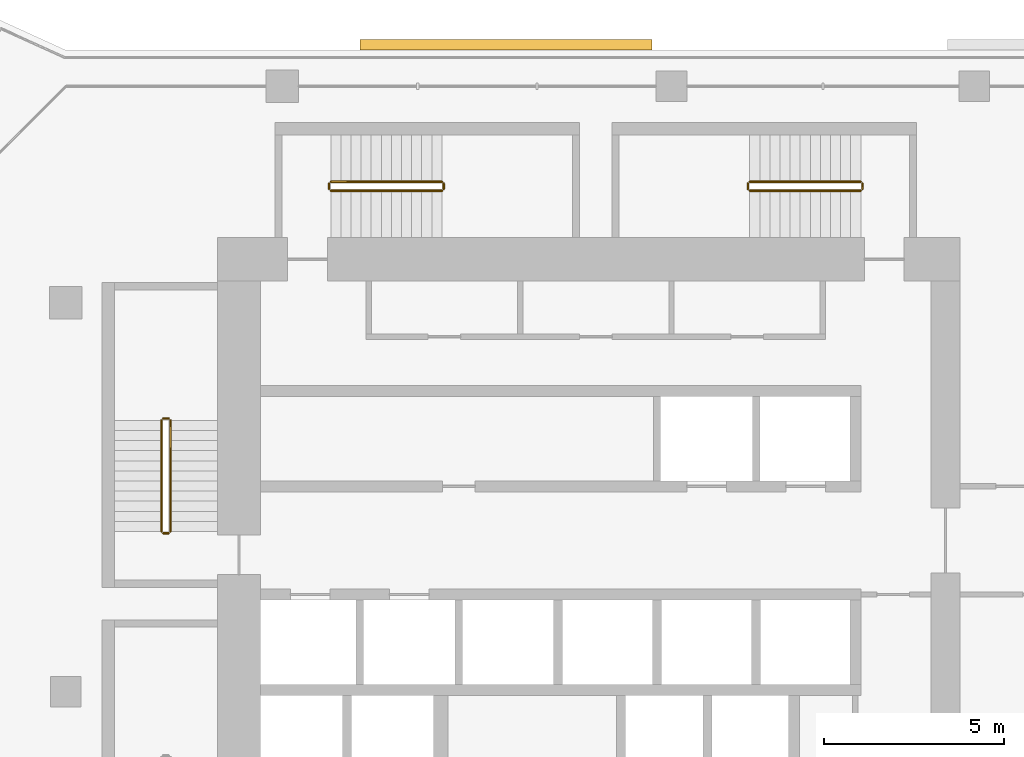
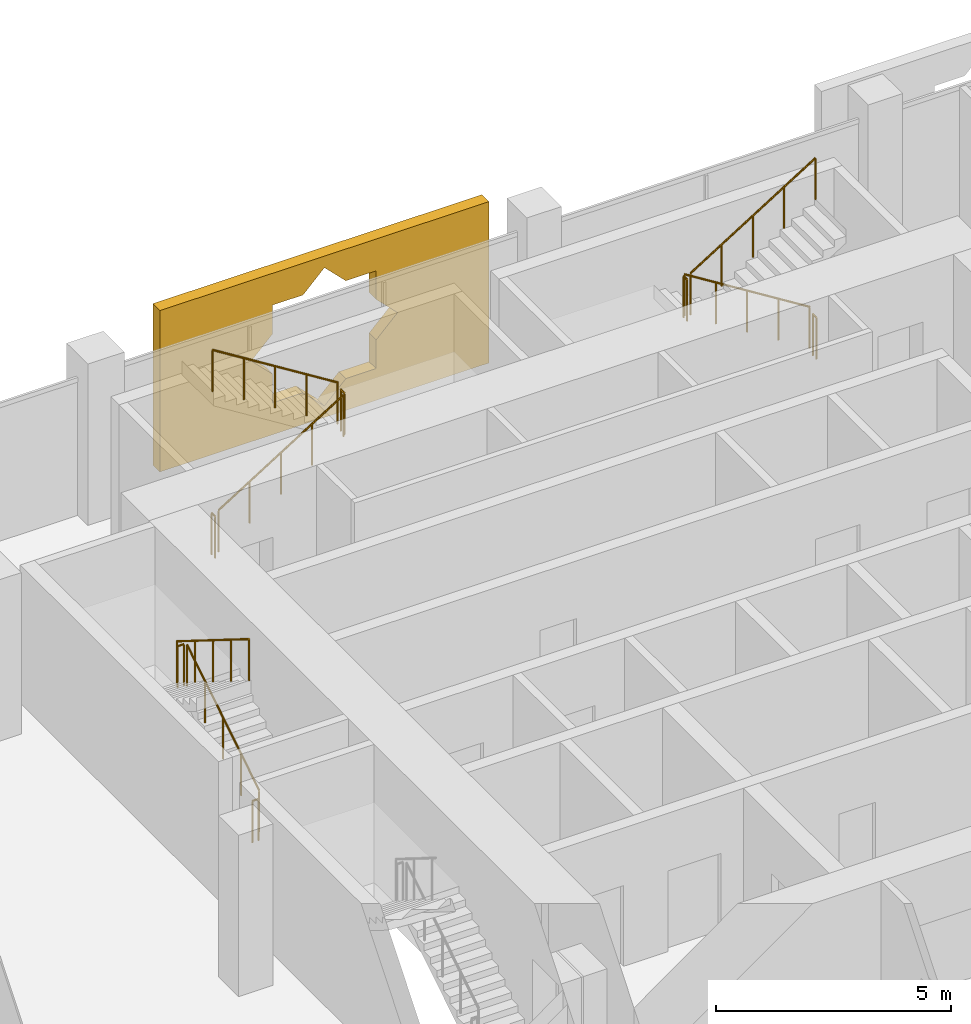
# One storey, part 19 of 21: 12 railings, 1 covering.
"""IFC4 building model written with IfcOpenShell, lengths in metres."""

from ifc_helpers import new_model, si_unit, direction, frame, origin, origin_2d, place, context, subcontext, project, spatial, polyline, circle, outline, extrude, material, material_profile, profile_set, type_object, element, save


model = new_model("IFC4")

# Units and contexts
model_context = context("Model", 3, precision=1e-05, world=origin(), true_north=direction((0.0, 1.0)))
body_context = subcontext(model_context, "Body", "Model", "MODEL_VIEW")
ifc_project = project(units=[si_unit("LENGTHUNIT", "METRE"), si_unit("AREAUNIT", "SQUARE_METRE"), si_unit("VOLUMEUNIT", "CUBIC_METRE"), si_unit("PLANEANGLEUNIT", "RADIAN"), si_unit("MASSUNIT", "GRAM", prefix="KILO")], contexts=[model_context])

# Site, building, storey
site_placement = place(None, origin())
site = spatial("IfcSite", under=ifc_project, at=site_placement, CompositionType="ELEMENT")
building_placement = place(site_placement, origin())
building = spatial("IfcBuilding", under=site, at=building_placement, Name="Kawkab Arch Medical Tower", CompositionType="ELEMENT")
storey_placement = place(building_placement, frame((0.0, 0.0, 230.60009765625)))
storey = spatial("IfcBuildingStorey", under=building, at=storey_placement, Name="L53", CompositionType="ELEMENT", Elevation=230.60009765625)

# Covering
ifc_material_1 = material(Name="Bronze anodised aluminium mashrabiya panel, eight-point star pattern", Category="aluminium")
ifc_material_profile = material_profile(ifc_material_1, outline(polyline([(-4.050048828125, -2.10009765625), (4.050048828125, -2.10009765625), (4.050048828125, 2.10009765625), (-4.050048828125, 2.10009765625), (-4.050048828125, -2.10009765625)]), holes=[polyline([(1.800048828125, 0.0), (1.272705078125, 0.527099609375), (1.272705078125, 1.272705078125), (0.527099609375, 1.272705078125), (0.0, 1.800048828125), (-0.527099609375, 1.272705078125), (-1.272705078125, 1.272705078125), (-1.272705078125, 0.527099609375), (-1.800048828125, 0.0), (-1.272705078125, -0.527099609375), (-1.272705078125, -1.272705078125), (-0.527099609375, -1.272705078125), (0.0, -1.800048828125), (0.527099609375, -1.272705078125), (1.272705078125, -1.272705078125), (1.272705078125, -0.527099609375), (1.800048828125, 0.0)])]), Name="Mashrabiya panel 8100x4200")
ifc_profile_set = profile_set([ifc_material_profile], Name="Bronze anodised aluminium mashrabiya panel, eight-point star pattern")
covering_type = type_object("IfcCoveringType", Name="Mashrabiya panel 8100 x 4200", PredefinedType="USERDEFINED", material=ifc_profile_set)
covering_placement = place(storey_placement, frame((12.212890625, 1.0, 1.699951171875), z_axis=(0.0, 1.0, 0.0), x_axis=(-1.0, 0.0, 0.0)))
element("IfcCovering", 1, at=covering_placement, inside=storey, type_object=covering_type, Name="Mashrabiya panel L53.LOG-01-01.7", ObjectType="SCREEN", PredefinedType="USERDEFINED", context=body_context, shape_type="SweptSolid", body=[
    extrude(outline(polyline([(-4.050048828125, -2.10009765625), (4.050048828125, -2.10009765625), (4.050048828125, 2.10009765625), (-4.050048828125, 2.10009765625), (-4.050048828125, -2.10009765625)]), holes=[polyline([(1.800048828125, 0.0), (1.272705078125, 0.527099609375), (1.272705078125, 1.272705078125), (0.527099609375, 1.272705078125), (0.0, 1.800048828125), (-0.527099609375, 1.272705078125), (-1.272705078125, 1.272705078125), (-1.272705078125, 0.527099609375), (-1.800048828125, 0.0), (-1.272705078125, -0.527099609375), (-1.272705078125, -1.272705078125), (-0.527099609375, -1.272705078125), (0.0, -1.800048828125), (0.527099609375, -1.272705078125), (1.272705078125, -1.272705078125), (1.272705078125, -0.527099609375), (1.800048828125, 0.0)])]), origin(), (0.0, 0.0, 1.0), 0.300048828125),
])

# Railings
ifc_material_2 = material(Name="Stainless steel", Category="steel")
railing_type = type_object("IfcRailingType", Name="Stair guard 1100", PredefinedType="GUARDRAIL", material=ifc_material_2)
railing_1_placement = place(storey_placement, frame((2.89990234375, -12.35009765625, 0.1748046875)))
element("IfcRailing", 2, at=railing_1_placement, inside=storey, type_object=railing_type, Name="L53 ST1 stair guard 1", PredefinedType="GUARDRAIL", context=body_context, shape_type="SweptSolid", body=[
    extrude(circle(Radius=0.02392578125, at=origin_2d()), frame((0.0, 0.0, 1.076171875), z_axis=(0.0, 0.847998304005, 0.529998940003), x_axis=(-1.0, 0.0, 0.0)), (0.0, 0.0, 1.0), 3.632080078125),
    extrude(circle(Radius=0.02099609375, at=origin_2d()), origin(), (0.0, 0.0, 1.0), 1.052001953125),
    extrude(circle(Radius=0.02099609375, at=origin_2d()), frame((0.0, 0.77001953125, 0.481201171875)), (0.0, 0.0, 1.0), 1.052001953125),
    extrude(circle(Radius=0.02099609375, at=origin_2d()), frame((0.0, 1.5400390625, 0.96240234375)), (0.0, 0.0, 1.0), 1.052001953125),
    extrude(circle(Radius=0.02099609375, at=origin_2d()), frame((0.0, 2.31005859375, 1.44384765625)), (0.0, 0.0, 1.0), 1.052001953125),
    extrude(circle(Radius=0.02099609375, at=origin_2d()), frame((0.0, 3.080078125, 1.925048828125)), (0.0, 0.0, 1.0), 1.052001953125),
])
railing_2_placement = place(storey_placement, frame((2.85009765625, -9.219970703125, 2.099853515625)))
element("IfcRailing", 3, at=railing_2_placement, inside=storey, type_object=railing_type, Name="L53 ST1 stair guard 2", PredefinedType="GUARDRAIL", context=body_context, shape_type="SweptSolid", body=[
    extrude(circle(Radius=0.02392578125, at=origin_2d()), frame((0.0, 0.0, 1.076171875), z_axis=(-1.0, 0.0, 0.0), x_axis=(0.0, -1.0, 0.0)), (0.0, 0.0, 1.0), 0.150146484375),
    extrude(circle(Radius=0.02099609375, at=origin_2d()), origin(), (0.0, 0.0, 1.0), 1.052001953125),
    extrude(circle(Radius=0.02099609375, at=origin_2d()), frame((-0.150146484375, 0.0, 0.0)), (0.0, 0.0, 1.0), 1.052001953125),
])
railing_3_placement = place(storey_placement, frame((2.64990234375, -9.27001953125, 2.27490234375)))
element("IfcRailing", 4, at=railing_3_placement, inside=storey, type_object=railing_type, Name="L53 ST1 stair guard 3", PredefinedType="GUARDRAIL", context=body_context, shape_type="SweptSolid", body=[
    extrude(circle(Radius=0.02392578125, at=origin_2d()), frame((0.0, 0.0, 1.076171875), z_axis=(0.0, -0.847998304005, 0.529998940003), x_axis=(1.0, 0.0, 0.0)), (0.0, 0.0, 1.0), 3.632080078125),
    extrude(circle(Radius=0.02099609375, at=origin_2d()), origin(), (0.0, 0.0, 1.0), 1.052001953125),
    extrude(circle(Radius=0.02099609375, at=origin_2d()), frame((0.0, -0.77001953125, 0.481201171875)), (0.0, 0.0, 1.0), 1.052001953125),
    extrude(circle(Radius=0.02099609375, at=origin_2d()), frame((0.0, -1.5400390625, 0.96240234375)), (0.0, 0.0, 1.0), 1.052001953125),
    extrude(circle(Radius=0.02099609375, at=origin_2d()), frame((0.0, -2.31005859375, 1.44384765625)), (0.0, 0.0, 1.0), 1.052001953125),
    extrude(circle(Radius=0.02099609375, at=origin_2d()), frame((0.0, -3.080078125, 1.925048828125)), (0.0, 0.0, 1.0), 1.052001953125),
])
railing_4_placement = place(storey_placement, frame((2.85009765625, -12.39990234375, 0.0)))
element("IfcRailing", 5, at=railing_4_placement, inside=storey, type_object=railing_type, Name="L53 ST1 stair guard 4", PredefinedType="GUARDRAIL", context=body_context, shape_type="SweptSolid", body=[
    extrude(circle(Radius=0.02392578125, at=origin_2d()), frame((0.0, 0.0, 1.076171875), z_axis=(-1.0, 0.0, 0.0), x_axis=(0.0, -1.0, 0.0)), (0.0, 0.0, 1.0), 0.150146484375),
    extrude(circle(Radius=0.02099609375, at=origin_2d()), origin(), (0.0, 0.0, 1.0), 1.052001953125),
    extrude(circle(Radius=0.02099609375, at=origin_2d()), frame((-0.150146484375, 0.0, 0.0)), (0.0, 0.0, 1.0), 1.052001953125),
])
railing_5_placement = place(storey_placement, frame((7.35009765625, -2.89990234375, 0.1748046875)))
element("IfcRailing", 6, at=railing_5_placement, inside=storey, type_object=railing_type, Name="L53 ST3 stair guard 1", PredefinedType="GUARDRAIL", context=body_context, shape_type="SweptSolid", body=[
    extrude(circle(Radius=0.02392578125, at=origin_2d()), frame((0.0, 0.0, 1.076171875), z_axis=(0.847979421464, 0.0, 0.530029150871), x_axis=(0.0, 1.0, 0.0)), (0.0, 0.0, 1.0), 3.632080078125),
    extrude(circle(Radius=0.02099609375, at=origin_2d()), origin(), (0.0, 0.0, 1.0), 1.052001953125),
    extrude(circle(Radius=0.02099609375, at=origin_2d()), frame((0.77001953125, 0.0, 0.481201171875)), (0.0, 0.0, 1.0), 1.052001953125),
    extrude(circle(Radius=0.02099609375, at=origin_2d()), frame((1.5400390625, 0.0, 0.96240234375)), (0.0, 0.0, 1.0), 1.052001953125),
    extrude(circle(Radius=0.02099609375, at=origin_2d()), frame((2.309814453125, 0.0, 1.44384765625)), (0.0, 0.0, 1.0), 1.052001953125),
    extrude(circle(Radius=0.02099609375, at=origin_2d()), frame((3.079833984375, 0.0, 1.925048828125)), (0.0, 0.0, 1.0), 1.052001953125),
])
railing_6_placement = place(storey_placement, frame((10.47998046875, -2.85009765625, 2.099853515625)))
element("IfcRailing", 7, at=railing_6_placement, inside=storey, type_object=railing_type, Name="L53 ST3 stair guard 2", PredefinedType="GUARDRAIL", context=body_context, shape_type="SweptSolid", body=[
    extrude(circle(Radius=0.02392578125, at=origin_2d()), frame((0.0, 0.0, 1.076171875), z_axis=(0.0, 1.0, 0.0), x_axis=(-1.0, 0.0, 0.0)), (0.0, 0.0, 1.0), 0.150146484375),
    extrude(circle(Radius=0.02099609375, at=origin_2d()), origin(), (0.0, 0.0, 1.0), 1.052001953125),
    extrude(circle(Radius=0.02099609375, at=origin_2d()), frame((0.0, 0.150146484375, 0.0)), (0.0, 0.0, 1.0), 1.052001953125),
])
railing_7_placement = place(storey_placement, frame((10.429931640625, -2.64990234375, 2.27490234375)))
element("IfcRailing", 8, at=railing_7_placement, inside=storey, type_object=railing_type, Name="L53 ST3 stair guard 3", PredefinedType="GUARDRAIL", context=body_context, shape_type="SweptSolid", body=[
    extrude(circle(Radius=0.02392578125, at=origin_2d()), frame((0.0, 0.0, 1.076171875), z_axis=(-0.847979421464, 0.0, 0.530029150871), x_axis=(0.0, -1.0, 0.0)), (0.0, 0.0, 1.0), 3.632080078125),
    extrude(circle(Radius=0.02099609375, at=origin_2d()), origin(), (0.0, 0.0, 1.0), 1.052001953125),
    extrude(circle(Radius=0.02099609375, at=origin_2d()), frame((-0.77001953125, 0.0, 0.481201171875)), (0.0, 0.0, 1.0), 1.052001953125),
    extrude(circle(Radius=0.02099609375, at=origin_2d()), frame((-1.5400390625, 0.0, 0.96240234375)), (0.0, 0.0, 1.0), 1.052001953125),
    extrude(circle(Radius=0.02099609375, at=origin_2d()), frame((-2.309814453125, 0.0, 1.44384765625)), (0.0, 0.0, 1.0), 1.052001953125),
    extrude(circle(Radius=0.02099609375, at=origin_2d()), frame((-3.079833984375, 0.0, 1.925048828125)), (0.0, 0.0, 1.0), 1.052001953125),
])
railing_8_placement = place(storey_placement, frame((7.300048828125, -2.85009765625, 0.0)))
element("IfcRailing", 9, at=railing_8_placement, inside=storey, type_object=railing_type, Name="L53 ST3 stair guard 4", PredefinedType="GUARDRAIL", context=body_context, shape_type="SweptSolid", body=[
    extrude(circle(Radius=0.02392578125, at=origin_2d()), frame((0.0, 0.0, 1.076171875), z_axis=(0.0, 1.0, 0.0), x_axis=(-1.0, 0.0, 0.0)), (0.0, 0.0, 1.0), 0.150146484375),
    extrude(circle(Radius=0.02099609375, at=origin_2d()), origin(), (0.0, 0.0, 1.0), 1.052001953125),
    extrude(circle(Radius=0.02099609375, at=origin_2d()), frame((0.0, 0.150146484375, 0.0)), (0.0, 0.0, 1.0), 1.052001953125),
])
railing_9_placement = place(storey_placement, frame((22.050048828125, -2.64990234375, 0.1748046875)))
element("IfcRailing", 10, at=railing_9_placement, inside=storey, type_object=railing_type, Name="L53 ST4 stair guard 1", PredefinedType="GUARDRAIL", context=body_context, shape_type="SweptSolid", body=[
    extrude(circle(Radius=0.02392578125, at=origin_2d()), frame((0.0, 0.0, 1.076171875), z_axis=(-0.847998304005, 0.0, 0.529998940003), x_axis=(0.0, -1.0, 0.0)), (0.0, 0.0, 1.0), 3.632080078125),
    extrude(circle(Radius=0.02099609375, at=origin_2d()), origin(), (0.0, 0.0, 1.0), 1.052001953125),
    extrude(circle(Radius=0.02099609375, at=origin_2d()), frame((-0.77001953125, 0.0, 0.481201171875)), (0.0, 0.0, 1.0), 1.052001953125),
    extrude(circle(Radius=0.02099609375, at=origin_2d()), frame((-1.5400390625, 0.0, 0.96240234375)), (0.0, 0.0, 1.0), 1.052001953125),
    extrude(circle(Radius=0.02099609375, at=origin_2d()), frame((-2.31005859375, 0.0, 1.44384765625)), (0.0, 0.0, 1.0), 1.052001953125),
    extrude(circle(Radius=0.02099609375, at=origin_2d()), frame((-3.080078125, 0.0, 1.925048828125)), (0.0, 0.0, 1.0), 1.052001953125),
])
railing_10_placement = place(storey_placement, frame((18.919921875, -2.699951171875, 2.099853515625)))
element("IfcRailing", 11, at=railing_10_placement, inside=storey, type_object=railing_type, Name="L53 ST4 stair guard 2", PredefinedType="GUARDRAIL", context=body_context, shape_type="SweptSolid", body=[
    extrude(circle(Radius=0.02392578125, at=origin_2d()), frame((0.0, 0.0, 1.076171875), z_axis=(0.0, -1.0, 0.0), x_axis=(1.0, 0.0, 0.0)), (0.0, 0.0, 1.0), 0.150146484375),
    extrude(circle(Radius=0.02099609375, at=origin_2d()), origin(), (0.0, 0.0, 1.0), 1.052001953125),
    extrude(circle(Radius=0.02099609375, at=origin_2d()), frame((0.0, -0.150146484375, 0.0)), (0.0, 0.0, 1.0), 1.052001953125),
])
railing_11_placement = place(storey_placement, frame((18.969970703125, -2.89990234375, 2.27490234375)))
element("IfcRailing", 12, at=railing_11_placement, inside=storey, type_object=railing_type, Name="L53 ST4 stair guard 3", PredefinedType="GUARDRAIL", context=body_context, shape_type="SweptSolid", body=[
    extrude(circle(Radius=0.02392578125, at=origin_2d()), frame((0.0, 0.0, 1.076171875), z_axis=(0.847998304005, 0.0, 0.529998940003), x_axis=(0.0, 1.0, 0.0)), (0.0, 0.0, 1.0), 3.632080078125),
    extrude(circle(Radius=0.02099609375, at=origin_2d()), origin(), (0.0, 0.0, 1.0), 1.052001953125),
    extrude(circle(Radius=0.02099609375, at=origin_2d()), frame((0.77001953125, 0.0, 0.481201171875)), (0.0, 0.0, 1.0), 1.052001953125),
    extrude(circle(Radius=0.02099609375, at=origin_2d()), frame((1.5400390625, 0.0, 0.96240234375)), (0.0, 0.0, 1.0), 1.052001953125),
    extrude(circle(Radius=0.02099609375, at=origin_2d()), frame((2.31005859375, 0.0, 1.44384765625)), (0.0, 0.0, 1.0), 1.052001953125),
    extrude(circle(Radius=0.02099609375, at=origin_2d()), frame((3.080078125, 0.0, 1.925048828125)), (0.0, 0.0, 1.0), 1.052001953125),
])
railing_12_placement = place(storey_placement, frame((22.10009765625, -2.699951171875, 0.0)))
element("IfcRailing", 13, at=railing_12_placement, inside=storey, type_object=railing_type, Name="L53 ST4 stair guard 4", PredefinedType="GUARDRAIL", context=body_context, shape_type="SweptSolid", body=[
    extrude(circle(Radius=0.02392578125, at=origin_2d()), frame((0.0, 0.0, 1.076171875), z_axis=(0.0, -1.0, 0.0), x_axis=(1.0, 0.0, 0.0)), (0.0, 0.0, 1.0), 0.150146484375),
    extrude(circle(Radius=0.02099609375, at=origin_2d()), origin(), (0.0, 0.0, 1.0), 1.052001953125),
    extrude(circle(Radius=0.02099609375, at=origin_2d()), frame((0.0, -0.150146484375, 0.0)), (0.0, 0.0, 1.0), 1.052001953125),
])

save(model, "model.ifc")
